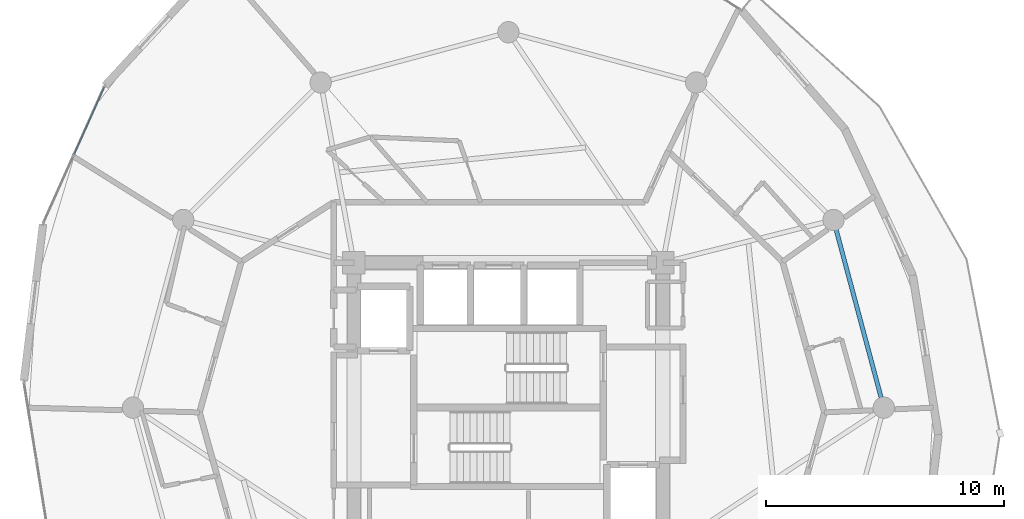
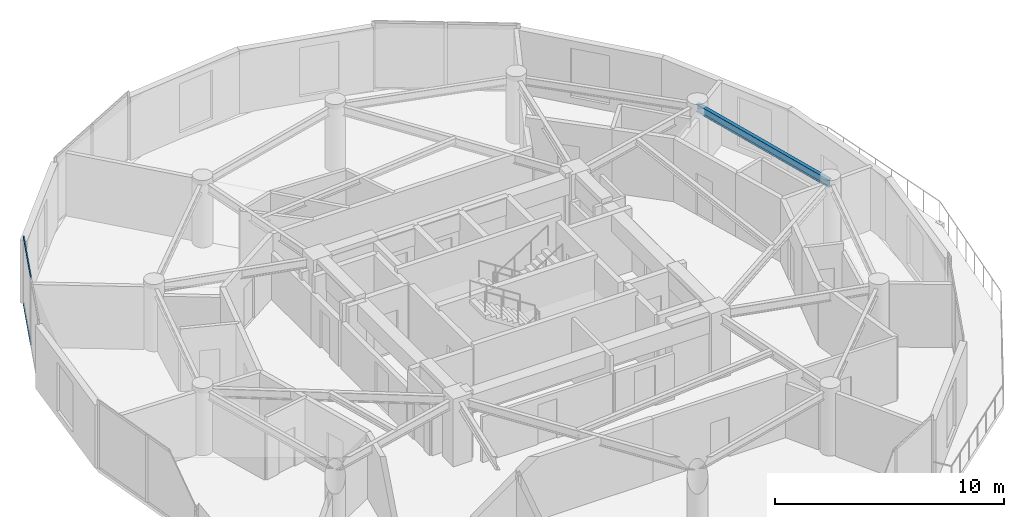
# One storey, part 12 of 22: 2 members, 1 beam, 1 element without a shape of its own.
"""IFC4 building model written with IfcOpenShell, lengths in metres."""

from ifc_helpers import new_model, si_unit, direction, frame, origin, origin_2d, place, context, subcontext, project, spatial, hollow_rectangle, i_section, extrude, source, transform, mapped, material, layer, layer_set, material_profile, profile_set, type_object, element, aggregate, save


model = new_model("IFC4")

# Units and contexts
model_context = context("Model", 3, precision=1e-05, world=origin(), true_north=direction((0.0, 1.0)))
body_context = subcontext(model_context, "Body", "Model", "MODEL_VIEW")
ifc_project = project(units=[si_unit("LENGTHUNIT", "METRE"), si_unit("AREAUNIT", "SQUARE_METRE"), si_unit("VOLUMEUNIT", "CUBIC_METRE"), si_unit("PLANEANGLEUNIT", "RADIAN"), si_unit("MASSUNIT", "GRAM", prefix="KILO")], contexts=[model_context])

# Site, building, storey
site_placement = place(None, origin())
site = spatial("IfcSite", under=ifc_project, at=site_placement, CompositionType="ELEMENT")
building_placement = place(site_placement, origin())
building = spatial("IfcBuilding", under=site, at=building_placement, Name="Solvirekh Grand Hotel", CompositionType="ELEMENT")
storey_placement = place(building_placement, frame((0.0, 0.0, 227.199951171875)))
storey = spatial("IfcBuildingStorey", under=building, at=storey_placement, Name="L59", CompositionType="ELEMENT", Elevation=227.199951171875)

# Beam
ifc_material_1 = material(Name="Steel S355", Category="steel")
ifc_material_profile_1 = material_profile(ifc_material_1, i_section(OverallWidth=0.180908203125, OverallDepth=0.4169921875, WebThickness=0.010009765625, FlangeThickness=0.01611328125, FilletRadius=0.011962890625, at=origin_2d()), Name="W410X85")
ifc_profile_set_1 = profile_set([ifc_material_profile_1], Name="Steel S355")
beam_type = type_object("IfcBeamType", Name="Spandrel_Ring_W410", PredefinedType="SPANDREL", material=ifc_profile_set_1)
beam_placement = place(storey_placement, frame((15.800048828125, 0.0, 3.152099609375), z_axis=(-0.258838541915, 0.965920601923, 0.0), x_axis=(-0.965920601923, -0.258838541915, 0.0)))
element("IfcBeam", 1, at=beam_placement, inside=storey, type_object=beam_type, Name="L59 perimeter spandrel beam 1", PredefinedType="SPANDREL", context=body_context, shape_type="SweptSolid", body=[
    extrude(i_section(OverallWidth=0.180908203125, OverallDepth=0.4169921875, WebThickness=0.010009765625, FlangeThickness=0.01611328125, FilletRadius=0.011962890625, at=origin_2d()), origin(), (0.0, 0.0, 1.0), 8.1787109375),
])

# Curtain wall, members
ifc_material_2 = material(Name="Anodized Bronze Aluminium 6063-T6", Category="aluminium")
ifc_layer = layer(ifc_material_2, 0.159912109375)
ifc_layer_set = layer_set([ifc_layer], Name="Anodized Bronze Aluminium 6063-T6")
curtain_wall_type = type_object("IfcCurtainWallType", Name="CW_Sys4_HighZoneFlushBronzeCW", PredefinedType="NOTDEFINED", material=ifc_layer_set)
curtain_wall_placement = place(storey_placement, origin())
curtain_wall = element("IfcCurtainWall", 2, at=curtain_wall_placement, inside=storey, type_object=curtain_wall_type, Name="L59 unitised bronze-glass curtain wall CW-L59-C13", PredefinedType="NOTDEFINED")
ifc_material_profile_2 = material_profile(ifc_material_2, hollow_rectangle(XDim=0.054931640625, YDim=0.1201171875, WallThickness=0.00390625, at=origin_2d()), Name="ALU RHS 120X55X4")
ifc_profile_set_2 = profile_set([ifc_material_profile_2], Name="Anodized Bronze Aluminium 6063-T6")
member_type = type_object("IfcMemberType", Name="CWTransom_Sys4", PredefinedType="USERDEFINED", material=ifc_profile_set_2)
shared_shape = source(origin(), body_context, "Body", "SweptSolid", [
    extrude(hollow_rectangle(XDim=0.054931640625, YDim=0.1201171875, WallThickness=0.00390625, at=origin_2d()), origin(), (0.0, 0.0, 1.0), 3.104736328125),
])
member_1_placement = place(storey_placement, frame((-17.008544921875, 13.496337890625, 0.027587890625), z_axis=(-0.408362611456, -0.912819794683, 0.0), x_axis=(0.912819794683, -0.408362611456, 0.0)))
member_1 = element("IfcMember", 3, at=member_1_placement, type_object=member_type, Name="U04 transom 1.1", ObjectType="TRANSOM", PredefinedType="USERDEFINED", context=body_context, shape_type="MappedRepresentation", body=[
    mapped(shared_shape, transform((0.0, 0.0, 0.0), x_axis=(1.0, 0.0, 0.0), y_axis=(0.0, 1.0, 0.0), z_axis=(0.0, 0.0, 1.0), scale=1.0)),
])
member_2_placement = place(storey_placement, frame((-17.008544921875, 13.496337890625, 3.572509765625), z_axis=(-0.408362611456, -0.912819794683, 0.0), x_axis=(0.912819794683, -0.408362611456, 0.0)))
member_2 = element("IfcMember", 4, at=member_2_placement, type_object=member_type, Name="U04 transom 1.2", ObjectType="TRANSOM", PredefinedType="USERDEFINED", context=body_context, shape_type="MappedRepresentation", body=[
    mapped(shared_shape, transform((0.0, 0.0, 0.0), x_axis=(1.0, 0.0, 0.0), y_axis=(0.0, 1.0, 0.0), z_axis=(0.0, 0.0, 1.0), scale=1.0)),
])
aggregate(curtain_wall, [member_1, member_2])

save(model, "model.ifc")
